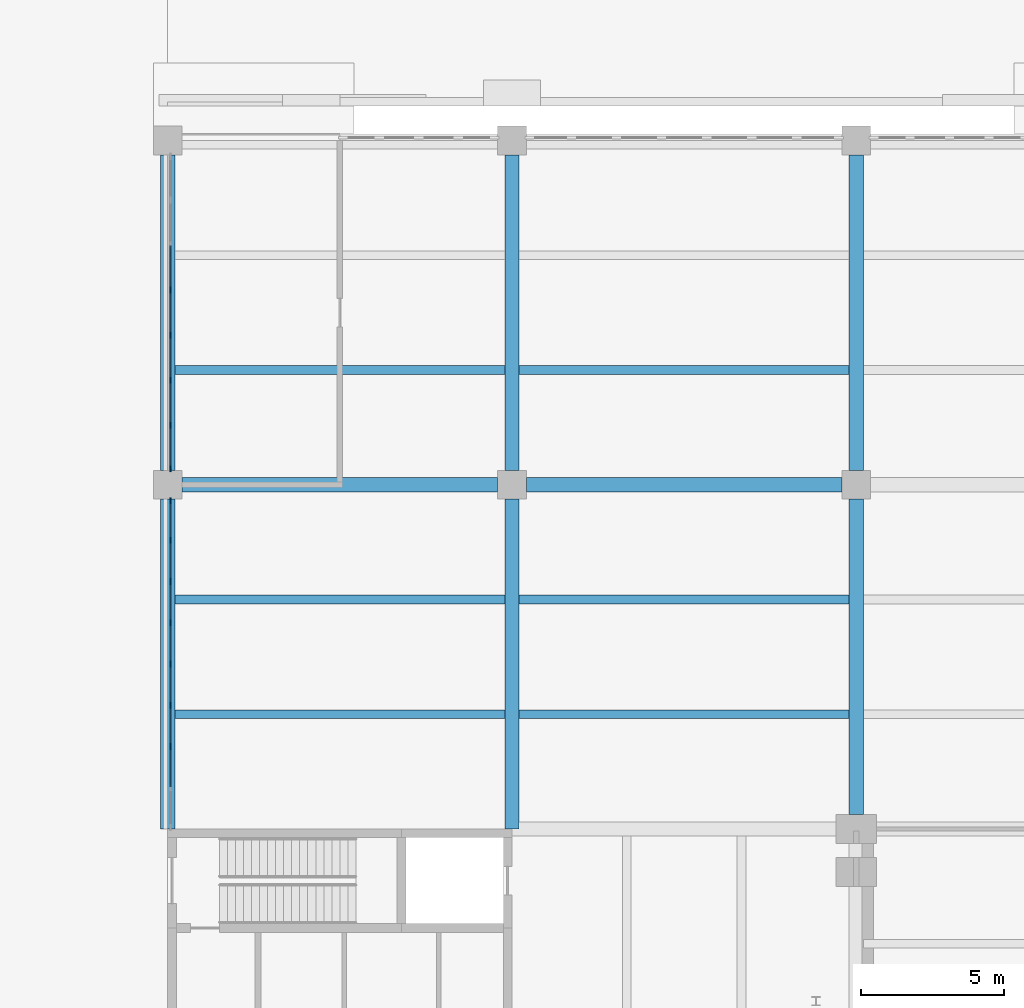
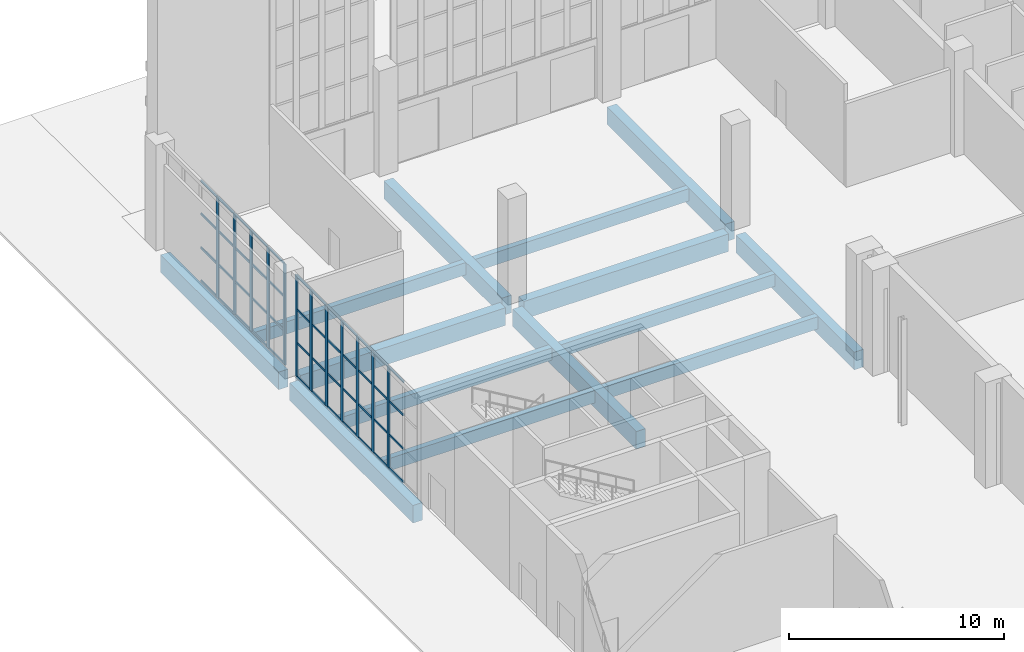
# One storey, part 20 of 59: 60 members, 14 beams, 2 elements without a shape of their own.
"""IFC4 building model written with IfcOpenShell, lengths in metres."""

from ifc_helpers import new_model, si_unit, direction, frame, origin, origin_2d, place, context, subcontext, project, spatial, rectangle, extrude, material, layer, layer_set, material_profile, profile_set, type_object, element, aggregate, save


model = new_model("IFC4")

# Units and contexts
model_context = context("Model", 3, precision=1e-05, world=origin(), true_north=direction((0.0, 1.0)))
body_context = subcontext(model_context, "Body", "Model", "MODEL_VIEW")
ifc_project = project(units=[si_unit("LENGTHUNIT", "METRE"), si_unit("AREAUNIT", "SQUARE_METRE"), si_unit("VOLUMEUNIT", "CUBIC_METRE"), si_unit("PLANEANGLEUNIT", "RADIAN"), si_unit("MASSUNIT", "GRAM", prefix="KILO")], contexts=[model_context])

# Site, building, storey
site_placement = place(None, origin())
site = spatial("IfcSite", under=ifc_project, at=site_placement, CompositionType="ELEMENT")
building_placement = place(site_placement, origin())
building = spatial("IfcBuilding", under=site, at=building_placement, Name="Lilac Gate Convention Centre", CompositionType="ELEMENT")
storey_placement = place(building_placement, origin())
storey = spatial("IfcBuildingStorey", under=building, at=storey_placement, Name="L00", CompositionType="ELEMENT", Elevation=0.0)

# Curtain wall, members
ifc_material_1 = material(Name="Aluminium framed double glazing", Category="aluminium")
ifc_layer = layer(ifc_material_1, 0.199951171875)
ifc_layer_set = layer_set([ifc_layer], Name="Aluminium framed double glazing")
curtain_wall_type = type_object("IfcCurtainWallType", Name="Unitised curtain wall 1500", PredefinedType="NOTDEFINED", material=ifc_layer_set)
curtain_wall_1_placement = place(storey_placement, origin())
curtain_wall_1 = element("IfcCurtainWall", 1, at=curtain_wall_1_placement, inside=storey, type_object=curtain_wall_type, Name="Curtain wall GW L00 1", PredefinedType="NOTDEFINED")
ifc_material_2 = material(Name="Aluminium alloy 6063", Category="aluminium")
ifc_material_profile_1 = material_profile(ifc_material_2, rectangle(XDim=0.06005859375, YDim=0.219970703125, at=origin_2d()), Name="Curtain wall mullion 60 x 220")
ifc_profile_set_1 = profile_set([ifc_material_profile_1], Name="Aluminium alloy 6063")
member_type_1 = type_object("IfcMemberType", Name="Curtain wall mullion 60 x 220", PredefinedType="MULLION", material=ifc_profile_set_1)
member_1_placement = place(storey_placement, frame((6.10009765625, 240.78564453125, 0.0), z_axis=(0.0, 0.0, 1.0), x_axis=(1.0, 0.0, 0.0)))
member_1 = element("IfcMember", 2, at=member_1_placement, type_object=member_type_1, Name="CW mullion 4", PredefinedType="MULLION", context=body_context, shape_type="SweptSolid", body=[
    extrude(rectangle(XDim=0.06005859375, YDim=0.219970703125, at=origin_2d()), origin(), (0.0, 0.0, 1.0), 5.75),
])
member_2_placement = place(storey_placement, frame((6.10009765625, 239.21435546875, 0.0), z_axis=(0.0, 0.0, 1.0), x_axis=(1.0, 0.0, 0.0)))
member_2 = element("IfcMember", 3, at=member_2_placement, type_object=member_type_1, Name="CW mullion 5", PredefinedType="MULLION", context=body_context, shape_type="SweptSolid", body=[
    extrude(rectangle(XDim=0.06005859375, YDim=0.219970703125, at=origin_2d()), origin(), (0.0, 0.0, 1.0), 5.75),
])
member_3_placement = place(storey_placement, frame((6.10009765625, 237.642822265625, 0.0), z_axis=(0.0, 0.0, 1.0), x_axis=(1.0, 0.0, 0.0)))
member_3 = element("IfcMember", 4, at=member_3_placement, type_object=member_type_1, Name="CW mullion 6", PredefinedType="MULLION", context=body_context, shape_type="SweptSolid", body=[
    extrude(rectangle(XDim=0.06005859375, YDim=0.219970703125, at=origin_2d()), origin(), (0.0, 0.0, 1.0), 5.75),
])
member_4_placement = place(storey_placement, frame((6.10009765625, 236.071533203125, 0.0), z_axis=(0.0, 0.0, 1.0), x_axis=(1.0, 0.0, 0.0)))
member_4 = element("IfcMember", 5, at=member_4_placement, type_object=member_type_1, Name="CW mullion 7", PredefinedType="MULLION", context=body_context, shape_type="SweptSolid", body=[
    extrude(rectangle(XDim=0.06005859375, YDim=0.219970703125, at=origin_2d()), origin(), (0.0, 0.0, 1.0), 5.75),
])
member_5_placement = place(storey_placement, frame((6.10009765625, 234.56005859375, 0.0), z_axis=(0.0, 0.0, 1.0), x_axis=(1.0, 0.0, 0.0)))
member_5 = element("IfcMember", 6, at=member_5_placement, type_object=member_type_1, Name="CW mullion 8", PredefinedType="MULLION", context=body_context, shape_type="SweptSolid", body=[
    extrude(rectangle(XDim=0.06005859375, YDim=0.219970703125, at=origin_2d()), origin(), (0.0, 0.0, 1.0), 5.75),
])

curtain_wall_2_placement = place(storey_placement, origin())
curtain_wall_2 = element("IfcCurtainWall", 7, at=curtain_wall_2_placement, inside=storey, type_object=curtain_wall_type, Name="Curtain wall GW L00 2", PredefinedType="NOTDEFINED")
member_6_placement = place(storey_placement, frame((6.10009765625, 233.43994140625, 0.0), z_axis=(0.0, 0.0, 1.0), x_axis=(1.0, 0.0, 0.0)))
member_6 = element("IfcMember", 8, at=member_6_placement, type_object=member_type_1, Name="CW mullion 1", PredefinedType="MULLION", context=body_context, shape_type="SweptSolid", body=[
    extrude(rectangle(XDim=0.06005859375, YDim=0.219970703125, at=origin_2d()), origin(), (0.0, 0.0, 1.0), 5.75),
])
member_7_placement = place(storey_placement, frame((6.10009765625, 232.0625, 0.0), z_axis=(0.0, 0.0, 1.0), x_axis=(1.0, 0.0, 0.0)))
member_7 = element("IfcMember", 9, at=member_7_placement, type_object=member_type_1, Name="CW mullion 2", PredefinedType="MULLION", context=body_context, shape_type="SweptSolid", body=[
    extrude(rectangle(XDim=0.06005859375, YDim=0.219970703125, at=origin_2d()), origin(), (0.0, 0.0, 1.0), 5.75),
])
member_8_placement = place(storey_placement, frame((6.10009765625, 230.625, 0.0), z_axis=(0.0, 0.0, 1.0), x_axis=(1.0, 0.0, 0.0)))
member_8 = element("IfcMember", 10, at=member_8_placement, type_object=member_type_1, Name="CW mullion 3", PredefinedType="MULLION", context=body_context, shape_type="SweptSolid", body=[
    extrude(rectangle(XDim=0.06005859375, YDim=0.219970703125, at=origin_2d()), origin(), (0.0, 0.0, 1.0), 5.75),
])
member_9_placement = place(storey_placement, frame((6.10009765625, 229.1875, 0.0), z_axis=(0.0, 0.0, 1.0), x_axis=(1.0, 0.0, 0.0)))
member_9 = element("IfcMember", 11, at=member_9_placement, type_object=member_type_1, Name="CW mullion 4", PredefinedType="MULLION", context=body_context, shape_type="SweptSolid", body=[
    extrude(rectangle(XDim=0.06005859375, YDim=0.219970703125, at=origin_2d()), origin(), (0.0, 0.0, 1.0), 5.75),
])
member_10_placement = place(storey_placement, frame((6.10009765625, 227.75, 0.0), z_axis=(0.0, 0.0, 1.0), x_axis=(1.0, 0.0, 0.0)))
member_10 = element("IfcMember", 12, at=member_10_placement, type_object=member_type_1, Name="CW mullion 5", PredefinedType="MULLION", context=body_context, shape_type="SweptSolid", body=[
    extrude(rectangle(XDim=0.06005859375, YDim=0.219970703125, at=origin_2d()), origin(), (0.0, 0.0, 1.0), 5.75),
])
member_11_placement = place(storey_placement, frame((6.10009765625, 226.3125, 0.0), z_axis=(0.0, 0.0, 1.0), x_axis=(1.0, 0.0, 0.0)))
member_11 = element("IfcMember", 13, at=member_11_placement, type_object=member_type_1, Name="CW mullion 6", PredefinedType="MULLION", context=body_context, shape_type="SweptSolid", body=[
    extrude(rectangle(XDim=0.06005859375, YDim=0.219970703125, at=origin_2d()), origin(), (0.0, 0.0, 1.0), 5.75),
])
member_12_placement = place(storey_placement, frame((6.10009765625, 224.875, 0.0), z_axis=(0.0, 0.0, 1.0), x_axis=(1.0, 0.0, 0.0)))
member_12 = element("IfcMember", 14, at=member_12_placement, type_object=member_type_1, Name="CW mullion 7", PredefinedType="MULLION", context=body_context, shape_type="SweptSolid", body=[
    extrude(rectangle(XDim=0.06005859375, YDim=0.219970703125, at=origin_2d()), origin(), (0.0, 0.0, 1.0), 5.75),
])

# Member
ifc_material_profile_2 = material_profile(ifc_material_2, rectangle(XDim=0.06005859375, YDim=0.1201171875, at=origin_2d()), Name="Curtain wall transom 60 x 120")
ifc_profile_set_2 = profile_set([ifc_material_profile_2], Name="Aluminium alloy 6063")
member_type_2 = type_object("IfcMemberType", Name="Curtain wall transom 60 x 120", PredefinedType="USERDEFINED", material=ifc_profile_set_2)
member_13_placement = place(storey_placement, frame((6.10009765625, 242.3271484375, 0.030029296875), z_axis=(0.0, -1.0, 0.0), x_axis=(1.0, 0.0, 0.0)))
member_13 = element("IfcMember", 15, at=member_13_placement, type_object=member_type_2, Name="CW transom 3.1", ObjectType="TRANSOM", PredefinedType="USERDEFINED", context=body_context, shape_type="SweptSolid", body=[
    extrude(rectangle(XDim=0.06005859375, YDim=0.1201171875, at=origin_2d()), origin(), (0.0, 0.0, 1.0), 1.511474609375),
])

member_14_placement = place(storey_placement, frame((6.10009765625, 242.3271484375, 1.916748046875), z_axis=(0.0, -1.0, 0.0), x_axis=(1.0, 0.0, 0.0)))
member_14 = element("IfcMember", 16, at=member_14_placement, type_object=member_type_2, Name="CW transom 3.2", ObjectType="TRANSOM", PredefinedType="USERDEFINED", context=body_context, shape_type="SweptSolid", body=[
    extrude(rectangle(XDim=0.06005859375, YDim=0.1201171875, at=origin_2d()), origin(), (0.0, 0.0, 1.0), 1.511474609375),
])

member_15_placement = place(storey_placement, frame((6.10009765625, 242.3271484375, 3.833251953125), z_axis=(0.0, -1.0, 0.0), x_axis=(1.0, 0.0, 0.0)))
member_15 = element("IfcMember", 17, at=member_15_placement, type_object=member_type_2, Name="CW transom 3.3", ObjectType="TRANSOM", PredefinedType="USERDEFINED", context=body_context, shape_type="SweptSolid", body=[
    extrude(rectangle(XDim=0.06005859375, YDim=0.1201171875, at=origin_2d()), origin(), (0.0, 0.0, 1.0), 1.511474609375),
])

member_16_placement = place(storey_placement, frame((6.10009765625, 242.3271484375, 5.719970703125), z_axis=(0.0, -1.0, 0.0), x_axis=(1.0, 0.0, 0.0)))
member_16 = element("IfcMember", 18, at=member_16_placement, type_object=member_type_2, Name="CW transom 3.4", ObjectType="TRANSOM", PredefinedType="USERDEFINED", context=body_context, shape_type="SweptSolid", body=[
    extrude(rectangle(XDim=0.06005859375, YDim=0.1201171875, at=origin_2d()), origin(), (0.0, 0.0, 1.0), 1.511474609375),
])

member_17_placement = place(storey_placement, frame((6.10009765625, 240.755615234375, 0.030029296875), z_axis=(0.0, -1.0, 0.0), x_axis=(1.0, 0.0, 0.0)))
member_17 = element("IfcMember", 19, at=member_17_placement, type_object=member_type_2, Name="CW transom 4.1", ObjectType="TRANSOM", PredefinedType="USERDEFINED", context=body_context, shape_type="SweptSolid", body=[
    extrude(rectangle(XDim=0.06005859375, YDim=0.1201171875, at=origin_2d()), origin(), (0.0, 0.0, 1.0), 1.51123046875),
])

member_18_placement = place(storey_placement, frame((6.10009765625, 240.755615234375, 1.916748046875), z_axis=(0.0, -1.0, 0.0), x_axis=(1.0, 0.0, 0.0)))
member_18 = element("IfcMember", 20, at=member_18_placement, type_object=member_type_2, Name="CW transom 4.2", ObjectType="TRANSOM", PredefinedType="USERDEFINED", context=body_context, shape_type="SweptSolid", body=[
    extrude(rectangle(XDim=0.06005859375, YDim=0.1201171875, at=origin_2d()), origin(), (0.0, 0.0, 1.0), 1.51123046875),
])

member_19_placement = place(storey_placement, frame((6.10009765625, 240.755615234375, 3.833251953125), z_axis=(0.0, -1.0, 0.0), x_axis=(1.0, 0.0, 0.0)))
member_19 = element("IfcMember", 21, at=member_19_placement, type_object=member_type_2, Name="CW transom 4.3", ObjectType="TRANSOM", PredefinedType="USERDEFINED", context=body_context, shape_type="SweptSolid", body=[
    extrude(rectangle(XDim=0.06005859375, YDim=0.1201171875, at=origin_2d()), origin(), (0.0, 0.0, 1.0), 1.51123046875),
])

member_20_placement = place(storey_placement, frame((6.10009765625, 240.755615234375, 5.719970703125), z_axis=(0.0, -1.0, 0.0), x_axis=(1.0, 0.0, 0.0)))
member_20 = element("IfcMember", 22, at=member_20_placement, type_object=member_type_2, Name="CW transom 4.4", ObjectType="TRANSOM", PredefinedType="USERDEFINED", context=body_context, shape_type="SweptSolid", body=[
    extrude(rectangle(XDim=0.06005859375, YDim=0.1201171875, at=origin_2d()), origin(), (0.0, 0.0, 1.0), 1.51123046875),
])

member_21_placement = place(storey_placement, frame((6.10009765625, 239.184326171875, 0.030029296875), z_axis=(0.0, -1.0, 0.0), x_axis=(1.0, 0.0, 0.0)))
member_21 = element("IfcMember", 23, at=member_21_placement, type_object=member_type_2, Name="CW transom 5.1", ObjectType="TRANSOM", PredefinedType="USERDEFINED", context=body_context, shape_type="SweptSolid", body=[
    extrude(rectangle(XDim=0.06005859375, YDim=0.1201171875, at=origin_2d()), origin(), (0.0, 0.0, 1.0), 1.511474609375),
])

member_22_placement = place(storey_placement, frame((6.10009765625, 239.184326171875, 1.916748046875), z_axis=(0.0, -1.0, 0.0), x_axis=(1.0, 0.0, 0.0)))
member_22 = element("IfcMember", 24, at=member_22_placement, type_object=member_type_2, Name="CW transom 5.2", ObjectType="TRANSOM", PredefinedType="USERDEFINED", context=body_context, shape_type="SweptSolid", body=[
    extrude(rectangle(XDim=0.06005859375, YDim=0.1201171875, at=origin_2d()), origin(), (0.0, 0.0, 1.0), 1.511474609375),
])

member_23_placement = place(storey_placement, frame((6.10009765625, 239.184326171875, 3.833251953125), z_axis=(0.0, -1.0, 0.0), x_axis=(1.0, 0.0, 0.0)))
member_23 = element("IfcMember", 25, at=member_23_placement, type_object=member_type_2, Name="CW transom 5.3", ObjectType="TRANSOM", PredefinedType="USERDEFINED", context=body_context, shape_type="SweptSolid", body=[
    extrude(rectangle(XDim=0.06005859375, YDim=0.1201171875, at=origin_2d()), origin(), (0.0, 0.0, 1.0), 1.511474609375),
])

member_24_placement = place(storey_placement, frame((6.10009765625, 239.184326171875, 5.719970703125), z_axis=(0.0, -1.0, 0.0), x_axis=(1.0, 0.0, 0.0)))
member_24 = element("IfcMember", 26, at=member_24_placement, type_object=member_type_2, Name="CW transom 5.4", ObjectType="TRANSOM", PredefinedType="USERDEFINED", context=body_context, shape_type="SweptSolid", body=[
    extrude(rectangle(XDim=0.06005859375, YDim=0.1201171875, at=origin_2d()), origin(), (0.0, 0.0, 1.0), 1.511474609375),
])

member_25_placement = place(storey_placement, frame((6.10009765625, 237.61279296875, 0.030029296875), z_axis=(0.0, -1.0, 0.0), x_axis=(1.0, 0.0, 0.0)))
member_25 = element("IfcMember", 27, at=member_25_placement, type_object=member_type_2, Name="CW transom 6.1", ObjectType="TRANSOM", PredefinedType="USERDEFINED", context=body_context, shape_type="SweptSolid", body=[
    extrude(rectangle(XDim=0.06005859375, YDim=0.1201171875, at=origin_2d()), origin(), (0.0, 0.0, 1.0), 1.511474609375),
])

member_26_placement = place(storey_placement, frame((6.10009765625, 237.61279296875, 1.916748046875), z_axis=(0.0, -1.0, 0.0), x_axis=(1.0, 0.0, 0.0)))
member_26 = element("IfcMember", 28, at=member_26_placement, type_object=member_type_2, Name="CW transom 6.2", ObjectType="TRANSOM", PredefinedType="USERDEFINED", context=body_context, shape_type="SweptSolid", body=[
    extrude(rectangle(XDim=0.06005859375, YDim=0.1201171875, at=origin_2d()), origin(), (0.0, 0.0, 1.0), 1.511474609375),
])

member_27_placement = place(storey_placement, frame((6.10009765625, 237.61279296875, 3.833251953125), z_axis=(0.0, -1.0, 0.0), x_axis=(1.0, 0.0, 0.0)))
member_27 = element("IfcMember", 29, at=member_27_placement, type_object=member_type_2, Name="CW transom 6.3", ObjectType="TRANSOM", PredefinedType="USERDEFINED", context=body_context, shape_type="SweptSolid", body=[
    extrude(rectangle(XDim=0.06005859375, YDim=0.1201171875, at=origin_2d()), origin(), (0.0, 0.0, 1.0), 1.511474609375),
])

member_28_placement = place(storey_placement, frame((6.10009765625, 237.61279296875, 5.719970703125), z_axis=(0.0, -1.0, 0.0), x_axis=(1.0, 0.0, 0.0)))
member_28 = element("IfcMember", 30, at=member_28_placement, type_object=member_type_2, Name="CW transom 6.4", ObjectType="TRANSOM", PredefinedType="USERDEFINED", context=body_context, shape_type="SweptSolid", body=[
    extrude(rectangle(XDim=0.06005859375, YDim=0.1201171875, at=origin_2d()), origin(), (0.0, 0.0, 1.0), 1.511474609375),
])

member_29_placement = place(storey_placement, frame((6.10009765625, 236.04150390625, 0.030029296875), z_axis=(0.0, -1.0, 0.0), x_axis=(1.0, 0.0, 0.0)))
member_29 = element("IfcMember", 31, at=member_29_placement, type_object=member_type_2, Name="CW transom 7.1", ObjectType="TRANSOM", PredefinedType="USERDEFINED", context=body_context, shape_type="SweptSolid", body=[
    extrude(rectangle(XDim=0.06005859375, YDim=0.1201171875, at=origin_2d()), origin(), (0.0, 0.0, 1.0), 1.4814453125),
])

member_30_placement = place(storey_placement, frame((6.10009765625, 236.04150390625, 1.916748046875), z_axis=(0.0, -1.0, 0.0), x_axis=(1.0, 0.0, 0.0)))
member_30 = element("IfcMember", 32, at=member_30_placement, type_object=member_type_2, Name="CW transom 7.2", ObjectType="TRANSOM", PredefinedType="USERDEFINED", context=body_context, shape_type="SweptSolid", body=[
    extrude(rectangle(XDim=0.06005859375, YDim=0.1201171875, at=origin_2d()), origin(), (0.0, 0.0, 1.0), 1.4814453125),
])

member_31_placement = place(storey_placement, frame((6.10009765625, 236.04150390625, 3.833251953125), z_axis=(0.0, -1.0, 0.0), x_axis=(1.0, 0.0, 0.0)))
member_31 = element("IfcMember", 33, at=member_31_placement, type_object=member_type_2, Name="CW transom 7.3", ObjectType="TRANSOM", PredefinedType="USERDEFINED", context=body_context, shape_type="SweptSolid", body=[
    extrude(rectangle(XDim=0.06005859375, YDim=0.1201171875, at=origin_2d()), origin(), (0.0, 0.0, 1.0), 1.4814453125),
])

member_32_placement = place(storey_placement, frame((6.10009765625, 236.04150390625, 5.719970703125), z_axis=(0.0, -1.0, 0.0), x_axis=(1.0, 0.0, 0.0)))
member_32 = element("IfcMember", 34, at=member_32_placement, type_object=member_type_2, Name="CW transom 7.4", ObjectType="TRANSOM", PredefinedType="USERDEFINED", context=body_context, shape_type="SweptSolid", body=[
    extrude(rectangle(XDim=0.06005859375, YDim=0.1201171875, at=origin_2d()), origin(), (0.0, 0.0, 1.0), 1.4814453125),
])

aggregate(curtain_wall_1, [member_1, member_2, member_3, member_4, member_5, member_13, member_14, member_15, member_16, member_17, member_18, member_19, member_20, member_21, member_22, member_23, member_24, member_25, member_26, member_27, member_28, member_29, member_30, member_31, member_32])

member_33_placement = place(storey_placement, frame((6.10009765625, 233.43994140625, 0.030029296875), z_axis=(0.0, -1.0, 0.0), x_axis=(1.0, 0.0, 0.0)))
member_33 = element("IfcMember", 35, at=member_33_placement, type_object=member_type_2, Name="CW transom 1.1", ObjectType="TRANSOM", PredefinedType="USERDEFINED", context=body_context, shape_type="SweptSolid", body=[
    extrude(rectangle(XDim=0.06005859375, YDim=0.1201171875, at=origin_2d()), origin(), (0.0, 0.0, 1.0), 1.347412109375),
])

member_34_placement = place(storey_placement, frame((6.10009765625, 233.43994140625, 1.916748046875), z_axis=(0.0, -1.0, 0.0), x_axis=(1.0, 0.0, 0.0)))
member_34 = element("IfcMember", 36, at=member_34_placement, type_object=member_type_2, Name="CW transom 1.2", ObjectType="TRANSOM", PredefinedType="USERDEFINED", context=body_context, shape_type="SweptSolid", body=[
    extrude(rectangle(XDim=0.06005859375, YDim=0.1201171875, at=origin_2d()), origin(), (0.0, 0.0, 1.0), 1.347412109375),
])

member_35_placement = place(storey_placement, frame((6.10009765625, 233.43994140625, 3.833251953125), z_axis=(0.0, -1.0, 0.0), x_axis=(1.0, 0.0, 0.0)))
member_35 = element("IfcMember", 37, at=member_35_placement, type_object=member_type_2, Name="CW transom 1.3", ObjectType="TRANSOM", PredefinedType="USERDEFINED", context=body_context, shape_type="SweptSolid", body=[
    extrude(rectangle(XDim=0.06005859375, YDim=0.1201171875, at=origin_2d()), origin(), (0.0, 0.0, 1.0), 1.347412109375),
])

member_36_placement = place(storey_placement, frame((6.10009765625, 233.43994140625, 5.719970703125), z_axis=(0.0, -1.0, 0.0), x_axis=(1.0, 0.0, 0.0)))
member_36 = element("IfcMember", 38, at=member_36_placement, type_object=member_type_2, Name="CW transom 1.4", ObjectType="TRANSOM", PredefinedType="USERDEFINED", context=body_context, shape_type="SweptSolid", body=[
    extrude(rectangle(XDim=0.06005859375, YDim=0.1201171875, at=origin_2d()), origin(), (0.0, 0.0, 1.0), 1.347412109375),
])

member_37_placement = place(storey_placement, frame((6.10009765625, 232.032470703125, 0.030029296875), z_axis=(0.0, -1.0, 0.0), x_axis=(1.0, 0.0, 0.0)))
member_37 = element("IfcMember", 39, at=member_37_placement, type_object=member_type_2, Name="CW transom 2.1", ObjectType="TRANSOM", PredefinedType="USERDEFINED", context=body_context, shape_type="SweptSolid", body=[
    extrude(rectangle(XDim=0.06005859375, YDim=0.1201171875, at=origin_2d()), origin(), (0.0, 0.0, 1.0), 1.37744140625),
])

member_38_placement = place(storey_placement, frame((6.10009765625, 232.032470703125, 1.916748046875), z_axis=(0.0, -1.0, 0.0), x_axis=(1.0, 0.0, 0.0)))
member_38 = element("IfcMember", 40, at=member_38_placement, type_object=member_type_2, Name="CW transom 2.2", ObjectType="TRANSOM", PredefinedType="USERDEFINED", context=body_context, shape_type="SweptSolid", body=[
    extrude(rectangle(XDim=0.06005859375, YDim=0.1201171875, at=origin_2d()), origin(), (0.0, 0.0, 1.0), 1.37744140625),
])

member_39_placement = place(storey_placement, frame((6.10009765625, 232.032470703125, 3.833251953125), z_axis=(0.0, -1.0, 0.0), x_axis=(1.0, 0.0, 0.0)))
member_39 = element("IfcMember", 41, at=member_39_placement, type_object=member_type_2, Name="CW transom 2.3", ObjectType="TRANSOM", PredefinedType="USERDEFINED", context=body_context, shape_type="SweptSolid", body=[
    extrude(rectangle(XDim=0.06005859375, YDim=0.1201171875, at=origin_2d()), origin(), (0.0, 0.0, 1.0), 1.37744140625),
])

member_40_placement = place(storey_placement, frame((6.10009765625, 232.032470703125, 5.719970703125), z_axis=(0.0, -1.0, 0.0), x_axis=(1.0, 0.0, 0.0)))
member_40 = element("IfcMember", 42, at=member_40_placement, type_object=member_type_2, Name="CW transom 2.4", ObjectType="TRANSOM", PredefinedType="USERDEFINED", context=body_context, shape_type="SweptSolid", body=[
    extrude(rectangle(XDim=0.06005859375, YDim=0.1201171875, at=origin_2d()), origin(), (0.0, 0.0, 1.0), 1.37744140625),
])

member_41_placement = place(storey_placement, frame((6.10009765625, 230.594970703125, 0.030029296875), z_axis=(0.0, -1.0, 0.0), x_axis=(1.0, 0.0, 0.0)))
member_41 = element("IfcMember", 43, at=member_41_placement, type_object=member_type_2, Name="CW transom 3.1", ObjectType="TRANSOM", PredefinedType="USERDEFINED", context=body_context, shape_type="SweptSolid", body=[
    extrude(rectangle(XDim=0.06005859375, YDim=0.1201171875, at=origin_2d()), origin(), (0.0, 0.0, 1.0), 1.37744140625),
])

member_42_placement = place(storey_placement, frame((6.10009765625, 230.594970703125, 1.916748046875), z_axis=(0.0, -1.0, 0.0), x_axis=(1.0, 0.0, 0.0)))
member_42 = element("IfcMember", 44, at=member_42_placement, type_object=member_type_2, Name="CW transom 3.2", ObjectType="TRANSOM", PredefinedType="USERDEFINED", context=body_context, shape_type="SweptSolid", body=[
    extrude(rectangle(XDim=0.06005859375, YDim=0.1201171875, at=origin_2d()), origin(), (0.0, 0.0, 1.0), 1.37744140625),
])

member_43_placement = place(storey_placement, frame((6.10009765625, 230.594970703125, 3.833251953125), z_axis=(0.0, -1.0, 0.0), x_axis=(1.0, 0.0, 0.0)))
member_43 = element("IfcMember", 45, at=member_43_placement, type_object=member_type_2, Name="CW transom 3.3", ObjectType="TRANSOM", PredefinedType="USERDEFINED", context=body_context, shape_type="SweptSolid", body=[
    extrude(rectangle(XDim=0.06005859375, YDim=0.1201171875, at=origin_2d()), origin(), (0.0, 0.0, 1.0), 1.37744140625),
])

member_44_placement = place(storey_placement, frame((6.10009765625, 230.594970703125, 5.719970703125), z_axis=(0.0, -1.0, 0.0), x_axis=(1.0, 0.0, 0.0)))
member_44 = element("IfcMember", 46, at=member_44_placement, type_object=member_type_2, Name="CW transom 3.4", ObjectType="TRANSOM", PredefinedType="USERDEFINED", context=body_context, shape_type="SweptSolid", body=[
    extrude(rectangle(XDim=0.06005859375, YDim=0.1201171875, at=origin_2d()), origin(), (0.0, 0.0, 1.0), 1.37744140625),
])

member_45_placement = place(storey_placement, frame((6.10009765625, 229.157470703125, 0.030029296875), z_axis=(0.0, -1.0, 0.0), x_axis=(1.0, 0.0, 0.0)))
member_45 = element("IfcMember", 47, at=member_45_placement, type_object=member_type_2, Name="CW transom 4.1", ObjectType="TRANSOM", PredefinedType="USERDEFINED", context=body_context, shape_type="SweptSolid", body=[
    extrude(rectangle(XDim=0.06005859375, YDim=0.1201171875, at=origin_2d()), origin(), (0.0, 0.0, 1.0), 1.37744140625),
])

member_46_placement = place(storey_placement, frame((6.10009765625, 229.157470703125, 1.916748046875), z_axis=(0.0, -1.0, 0.0), x_axis=(1.0, 0.0, 0.0)))
member_46 = element("IfcMember", 48, at=member_46_placement, type_object=member_type_2, Name="CW transom 4.2", ObjectType="TRANSOM", PredefinedType="USERDEFINED", context=body_context, shape_type="SweptSolid", body=[
    extrude(rectangle(XDim=0.06005859375, YDim=0.1201171875, at=origin_2d()), origin(), (0.0, 0.0, 1.0), 1.37744140625),
])

member_47_placement = place(storey_placement, frame((6.10009765625, 229.157470703125, 3.833251953125), z_axis=(0.0, -1.0, 0.0), x_axis=(1.0, 0.0, 0.0)))
member_47 = element("IfcMember", 49, at=member_47_placement, type_object=member_type_2, Name="CW transom 4.3", ObjectType="TRANSOM", PredefinedType="USERDEFINED", context=body_context, shape_type="SweptSolid", body=[
    extrude(rectangle(XDim=0.06005859375, YDim=0.1201171875, at=origin_2d()), origin(), (0.0, 0.0, 1.0), 1.37744140625),
])

member_48_placement = place(storey_placement, frame((6.10009765625, 229.157470703125, 5.719970703125), z_axis=(0.0, -1.0, 0.0), x_axis=(1.0, 0.0, 0.0)))
member_48 = element("IfcMember", 50, at=member_48_placement, type_object=member_type_2, Name="CW transom 4.4", ObjectType="TRANSOM", PredefinedType="USERDEFINED", context=body_context, shape_type="SweptSolid", body=[
    extrude(rectangle(XDim=0.06005859375, YDim=0.1201171875, at=origin_2d()), origin(), (0.0, 0.0, 1.0), 1.37744140625),
])

member_49_placement = place(storey_placement, frame((6.10009765625, 227.719970703125, 0.030029296875), z_axis=(0.0, -1.0, 0.0), x_axis=(1.0, 0.0, 0.0)))
member_49 = element("IfcMember", 51, at=member_49_placement, type_object=member_type_2, Name="CW transom 5.1", ObjectType="TRANSOM", PredefinedType="USERDEFINED", context=body_context, shape_type="SweptSolid", body=[
    extrude(rectangle(XDim=0.06005859375, YDim=0.1201171875, at=origin_2d()), origin(), (0.0, 0.0, 1.0), 1.37744140625),
])

member_50_placement = place(storey_placement, frame((6.10009765625, 227.719970703125, 1.916748046875), z_axis=(0.0, -1.0, 0.0), x_axis=(1.0, 0.0, 0.0)))
member_50 = element("IfcMember", 52, at=member_50_placement, type_object=member_type_2, Name="CW transom 5.2", ObjectType="TRANSOM", PredefinedType="USERDEFINED", context=body_context, shape_type="SweptSolid", body=[
    extrude(rectangle(XDim=0.06005859375, YDim=0.1201171875, at=origin_2d()), origin(), (0.0, 0.0, 1.0), 1.37744140625),
])

member_51_placement = place(storey_placement, frame((6.10009765625, 227.719970703125, 3.833251953125), z_axis=(0.0, -1.0, 0.0), x_axis=(1.0, 0.0, 0.0)))
member_51 = element("IfcMember", 53, at=member_51_placement, type_object=member_type_2, Name="CW transom 5.3", ObjectType="TRANSOM", PredefinedType="USERDEFINED", context=body_context, shape_type="SweptSolid", body=[
    extrude(rectangle(XDim=0.06005859375, YDim=0.1201171875, at=origin_2d()), origin(), (0.0, 0.0, 1.0), 1.37744140625),
])

member_52_placement = place(storey_placement, frame((6.10009765625, 227.719970703125, 5.719970703125), z_axis=(0.0, -1.0, 0.0), x_axis=(1.0, 0.0, 0.0)))
member_52 = element("IfcMember", 54, at=member_52_placement, type_object=member_type_2, Name="CW transom 5.4", ObjectType="TRANSOM", PredefinedType="USERDEFINED", context=body_context, shape_type="SweptSolid", body=[
    extrude(rectangle(XDim=0.06005859375, YDim=0.1201171875, at=origin_2d()), origin(), (0.0, 0.0, 1.0), 1.37744140625),
])

member_53_placement = place(storey_placement, frame((6.10009765625, 226.282470703125, 0.030029296875), z_axis=(0.0, -1.0, 0.0), x_axis=(1.0, 0.0, 0.0)))
member_53 = element("IfcMember", 55, at=member_53_placement, type_object=member_type_2, Name="CW transom 6.1", ObjectType="TRANSOM", PredefinedType="USERDEFINED", context=body_context, shape_type="SweptSolid", body=[
    extrude(rectangle(XDim=0.06005859375, YDim=0.1201171875, at=origin_2d()), origin(), (0.0, 0.0, 1.0), 1.37744140625),
])

member_54_placement = place(storey_placement, frame((6.10009765625, 226.282470703125, 1.916748046875), z_axis=(0.0, -1.0, 0.0), x_axis=(1.0, 0.0, 0.0)))
member_54 = element("IfcMember", 56, at=member_54_placement, type_object=member_type_2, Name="CW transom 6.2", ObjectType="TRANSOM", PredefinedType="USERDEFINED", context=body_context, shape_type="SweptSolid", body=[
    extrude(rectangle(XDim=0.06005859375, YDim=0.1201171875, at=origin_2d()), origin(), (0.0, 0.0, 1.0), 1.37744140625),
])

member_55_placement = place(storey_placement, frame((6.10009765625, 226.282470703125, 3.833251953125), z_axis=(0.0, -1.0, 0.0), x_axis=(1.0, 0.0, 0.0)))
member_55 = element("IfcMember", 57, at=member_55_placement, type_object=member_type_2, Name="CW transom 6.3", ObjectType="TRANSOM", PredefinedType="USERDEFINED", context=body_context, shape_type="SweptSolid", body=[
    extrude(rectangle(XDim=0.06005859375, YDim=0.1201171875, at=origin_2d()), origin(), (0.0, 0.0, 1.0), 1.37744140625),
])

member_56_placement = place(storey_placement, frame((6.10009765625, 226.282470703125, 5.719970703125), z_axis=(0.0, -1.0, 0.0), x_axis=(1.0, 0.0, 0.0)))
member_56 = element("IfcMember", 58, at=member_56_placement, type_object=member_type_2, Name="CW transom 6.4", ObjectType="TRANSOM", PredefinedType="USERDEFINED", context=body_context, shape_type="SweptSolid", body=[
    extrude(rectangle(XDim=0.06005859375, YDim=0.1201171875, at=origin_2d()), origin(), (0.0, 0.0, 1.0), 1.37744140625),
])

member_57_placement = place(storey_placement, frame((6.10009765625, 224.844970703125, 0.030029296875), z_axis=(0.0, -1.0, 0.0), x_axis=(1.0, 0.0, 0.0)))
member_57 = element("IfcMember", 59, at=member_57_placement, type_object=member_type_2, Name="CW transom 7.1", ObjectType="TRANSOM", PredefinedType="USERDEFINED", context=body_context, shape_type="SweptSolid", body=[
    extrude(rectangle(XDim=0.06005859375, YDim=0.1201171875, at=origin_2d()), origin(), (0.0, 0.0, 1.0), 1.37744140625),
])

member_58_placement = place(storey_placement, frame((6.10009765625, 224.844970703125, 1.916748046875), z_axis=(0.0, -1.0, 0.0), x_axis=(1.0, 0.0, 0.0)))
member_58 = element("IfcMember", 60, at=member_58_placement, type_object=member_type_2, Name="CW transom 7.2", ObjectType="TRANSOM", PredefinedType="USERDEFINED", context=body_context, shape_type="SweptSolid", body=[
    extrude(rectangle(XDim=0.06005859375, YDim=0.1201171875, at=origin_2d()), origin(), (0.0, 0.0, 1.0), 1.37744140625),
])

member_59_placement = place(storey_placement, frame((6.10009765625, 224.844970703125, 3.833251953125), z_axis=(0.0, -1.0, 0.0), x_axis=(1.0, 0.0, 0.0)))
member_59 = element("IfcMember", 61, at=member_59_placement, type_object=member_type_2, Name="CW transom 7.3", ObjectType="TRANSOM", PredefinedType="USERDEFINED", context=body_context, shape_type="SweptSolid", body=[
    extrude(rectangle(XDim=0.06005859375, YDim=0.1201171875, at=origin_2d()), origin(), (0.0, 0.0, 1.0), 1.37744140625),
])

member_60_placement = place(storey_placement, frame((6.10009765625, 224.844970703125, 5.719970703125), z_axis=(0.0, -1.0, 0.0), x_axis=(1.0, 0.0, 0.0)))
member_60 = element("IfcMember", 62, at=member_60_placement, type_object=member_type_2, Name="CW transom 7.4", ObjectType="TRANSOM", PredefinedType="USERDEFINED", context=body_context, shape_type="SweptSolid", body=[
    extrude(rectangle(XDim=0.06005859375, YDim=0.1201171875, at=origin_2d()), origin(), (0.0, 0.0, 1.0), 1.37744140625),
])

aggregate(curtain_wall_2, [member_6, member_7, member_8, member_9, member_10, member_11, member_12, member_33, member_34, member_35, member_36, member_37, member_38, member_39, member_40, member_41, member_42, member_43, member_44, member_45, member_46, member_47, member_48, member_49, member_50, member_51, member_52, member_53, member_54, member_55, member_56, member_57, member_58, member_59, member_60])

# Beams
ifc_material_3 = material(Name="Concrete C40", Category="concrete")
ifc_material_profile_3 = material_profile(ifc_material_3, rectangle(XDim=0.5, YDim=1.0, at=origin_2d()), Name="RC 500x1000")
ifc_profile_set_3 = profile_set([ifc_material_profile_3], Name="Concrete C40")
beam_type_1 = type_object("IfcBeamType", Name="Primary beam 500x1000 C40", PredefinedType="BEAM", material=ifc_profile_set_3)
for number, where, z_axis, x_axis, name in (
    (63, (6.5, 234.0, -0.800048828125), (1.0, 0.0, 0.0), (0.0, 1.0, 0.0), "RB1 L00 1/T-2/T"),
    (64, (18.5, 234.0, -0.800048828125), (1.0, 0.0, 0.0), (0.0, 1.0, 0.0), "RB1 L00 2/T-3/T"),
):
    element("IfcBeam", number, at=place(storey_placement, frame(where, z_axis=z_axis, x_axis=x_axis)), inside=storey, type_object=beam_type_1, Name=name, PredefinedType="BEAM", context=body_context, shape_type="SweptSolid", body=[
        extrude(rectangle(XDim=0.5, YDim=1.0, at=origin_2d()), origin(), (0.0, 0.0, 1.0), 11.0),
    ])
beam_1_placement = place(storey_placement, frame((6.0, 222.0, -0.800048828125), z_axis=(0.0, 1.0, 0.0), x_axis=(-1.0, 0.0, 0.0)))
element("IfcBeam", 65, at=beam_1_placement, inside=storey, type_object=beam_type_1, Name="RB1 L00 1/S-1/T", PredefinedType="BEAM", context=body_context, shape_type="SweptSolid", body=[
    extrude(rectangle(XDim=0.5, YDim=1.0, at=origin_2d()), origin(), (0.0, 0.0, 1.0), 11.5),
])
beam_2_placement = place(storey_placement, frame((6.0, 234.5, -0.800048828125), z_axis=(0.0, 1.0, 0.0), x_axis=(-1.0, 0.0, 0.0)))
element("IfcBeam", 66, at=beam_2_placement, inside=storey, type_object=beam_type_1, Name="RB1 L00 1/T-1/U", PredefinedType="BEAM", context=body_context, shape_type="SweptSolid", body=[
    extrude(rectangle(XDim=0.5, YDim=1.0, at=origin_2d()), origin(), (0.0, 0.0, 1.0), 11.0),
])
beam_3_placement = place(storey_placement, frame((18.0, 222.0, -0.800048828125), z_axis=(0.0, 1.0, 0.0), x_axis=(-1.0, 0.0, 0.0)))
element("IfcBeam", 67, at=beam_3_placement, inside=storey, type_object=beam_type_1, Name="RB1 L00 2/S-2/T", PredefinedType="BEAM", context=body_context, shape_type="SweptSolid", body=[
    extrude(rectangle(XDim=0.5, YDim=1.0, at=origin_2d()), origin(), (0.0, 0.0, 1.0), 11.5),
])
for number, where, z_axis, x_axis, name in (
    (68, (18.0, 234.5, -0.800048828125), (0.0, 1.0, 0.0), (-1.0, 0.0, 0.0), "RB1 L00 2/T-2/U"),
    (69, (30.0, 222.5, -0.800048828125), (0.0, 1.0, 0.0), (-1.0, 0.0, 0.0), "RB1 L00 3/S-3/T"),
    (70, (30.0, 234.5, -0.800048828125), (0.0, 1.0, 0.0), (-1.0, 0.0, 0.0), "RB1 L00 3/T-3/U"),
):
    element("IfcBeam", number, at=place(storey_placement, frame(where, z_axis=z_axis, x_axis=x_axis)), inside=storey, type_object=beam_type_1, Name=name, PredefinedType="BEAM", context=body_context, shape_type="SweptSolid", body=[
        extrude(rectangle(XDim=0.5, YDim=1.0, at=origin_2d()), origin(), (0.0, 0.0, 1.0), 11.0),
    ])
ifc_material_profile_4 = material_profile(ifc_material_3, rectangle(XDim=0.300048828125, YDim=0.699951171875, at=origin_2d()), Name="RC 300x700")
ifc_profile_set_4 = profile_set([ifc_material_profile_4], Name="Concrete C40")
beam_type_2 = type_object("IfcBeamType", Name="Secondary beam 300x700 C40", PredefinedType="BEAM", material=ifc_profile_set_4)
for number, where, z_axis, x_axis, name in (
    (71, (6.25, 226.0, -0.64990234375), (1.0, 0.0, 0.0), (0.0, 1.0, 0.0), "RB2 L00 bay 1/S"),
    (72, (6.25, 230.0, -0.64990234375), (1.0, 0.0, 0.0), (0.0, 1.0, 0.0), "RB2 L00 bay 1/S"),
    (73, (6.25, 238.0, -0.64990234375), (1.0, 0.0, 0.0), (0.0, 1.0, 0.0), "RB2 L00 bay 1/T"),
    (74, (18.25, 226.0, -0.64990234375), (1.0, 0.0, 0.0), (0.0, 1.0, 0.0), "RB2 L00 bay 2/S"),
    (75, (18.25, 230.0, -0.64990234375), (1.0, 0.0, 0.0), (0.0, 1.0, 0.0), "RB2 L00 bay 2/S"),
    (76, (18.25, 238.0, -0.64990234375), (1.0, 0.0, 0.0), (0.0, 1.0, 0.0), "RB2 L00 bay 2/T"),
):
    element("IfcBeam", number, at=place(storey_placement, frame(where, z_axis=z_axis, x_axis=x_axis)), inside=storey, type_object=beam_type_2, Name=name, PredefinedType="BEAM", context=body_context, shape_type="SweptSolid", body=[
        extrude(rectangle(XDim=0.300048828125, YDim=0.699951171875, at=origin_2d()), origin(), (0.0, 0.0, 1.0), 11.5),
    ])

save(model, "model.ifc")
